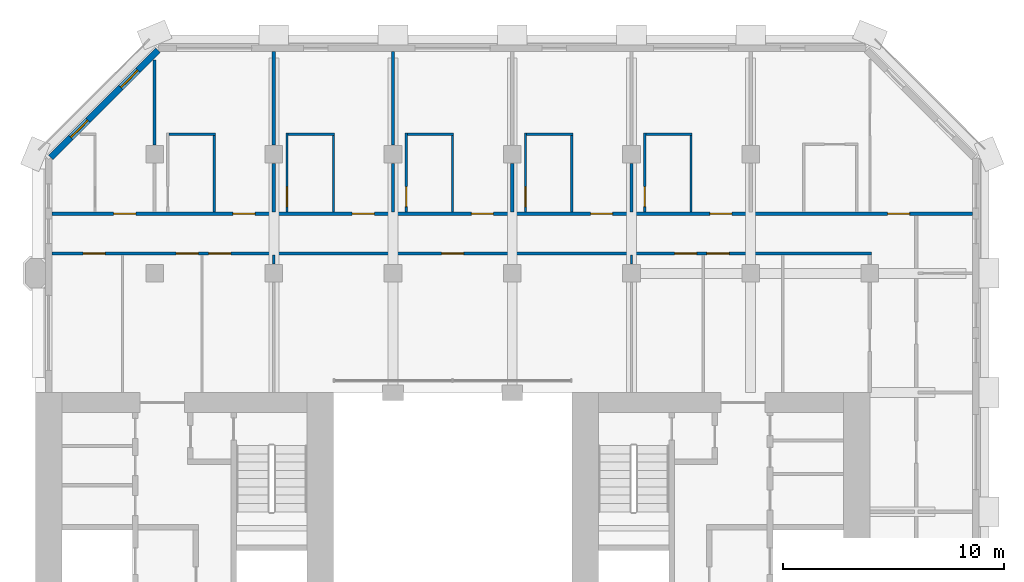
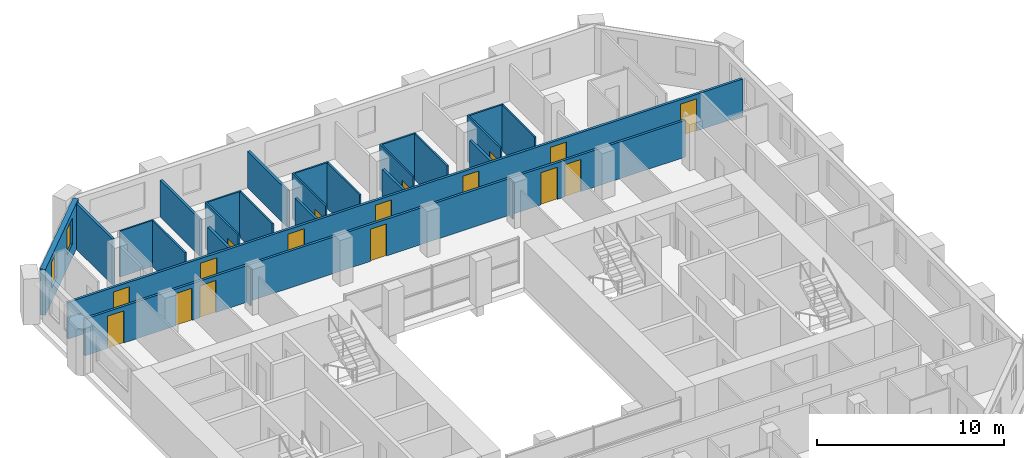
# One storey, part 8 of 12: 26 walls, 17 doors, 2 windows, 19 openings.
"""IFC4 building model written with IfcOpenShell, lengths in metres."""

from ifc_helpers import new_model, si_unit, direction, frame, frame_2d, origin, place, context, subcontext, project, spatial, rectangle, extrude, material, layer, layer_set, type_object, element, fill, save


model = new_model("IFC4")

# Units and contexts
model_context = context("Model", 3, precision=1e-05, world=origin(), true_north=direction((0.0, 1.0)))
body_context = subcontext(model_context, "Body", "Model", "MODEL_VIEW")
ifc_project = project(units=[si_unit("LENGTHUNIT", "METRE"), si_unit("AREAUNIT", "SQUARE_METRE"), si_unit("VOLUMEUNIT", "CUBIC_METRE"), si_unit("PLANEANGLEUNIT", "RADIAN"), si_unit("MASSUNIT", "GRAM", prefix="KILO")], contexts=[model_context])

# Site, building, storey
site_placement = place(None, origin())
site = spatial("IfcSite", under=ifc_project, at=site_placement, CompositionType="ELEMENT")
building_placement = place(site_placement, origin())
building = spatial("IfcBuilding", under=site, at=building_placement, Name="Tabaq Tower and Sports Hall", CompositionType="ELEMENT")
storey_placement = place(building_placement, frame((0.0, 0.0, 184.0)))
storey = spatial("IfcBuildingStorey", under=building, at=storey_placement, Name="L44", CompositionType="ELEMENT", Elevation=184.0)

# Walls
ifc_material_1 = material(Name="Gypsum board on steel studs", Category="steel")
ifc_layer_1 = layer(ifc_material_1, 0.10009765625)
ifc_layer_set_1 = layer_set([ifc_layer_1], Name="Partition 100 Gypsum board")
wall_type_1 = type_object("IfcWallType", Name="Partition 100 Gypsum board", PredefinedType="PARTITIONING", material=ifc_layer_set_1)
wall_1_placement = place(storey_placement, frame((11.449951171875, 44.10009765625, 0.0), z_axis=(0.0, 0.0, 1.0), x_axis=(1.0, 0.0, 0.0)))
element("IfcWall", 1, at=wall_1_placement, inside=storey, type_object=wall_type_1, Name="Partition wall L44", PredefinedType="PARTITIONING", context=body_context, shape_type="SweptSolid", body=[
    extrude(rectangle(XDim=2.10009765625, YDim=0.10009765625, at=frame_2d((1.050048828125, 0.0))), origin(), (0.0, 0.0, 1.0), 3.0),
])
wall_2_placement = place(storey_placement, frame((13.5, 44.050048828125, 0.0), z_axis=(0.0, 0.0, 1.0), x_axis=(0.0, -1.0, 0.0)))
element("IfcWall", 2, at=wall_2_placement, inside=storey, type_object=wall_type_1, Name="Partition wall L44", PredefinedType="PARTITIONING", context=body_context, shape_type="SweptSolid", body=[
    extrude(rectangle(XDim=3.47509765625, YDim=0.10009765625, at=frame_2d((1.737548828125, 0.0))), origin(), (0.0, 0.0, 1.0), 3.0),
])

# Wall, opening, door
wall_3_placement = place(storey_placement, frame((16.800048828125, 40.574951171875, 0.0), z_axis=(0.0, 0.0, 1.0), x_axis=(0.0, 1.0, 0.0)))
wall_3 = element("IfcWall", 3, at=wall_3_placement, inside=storey, type_object=wall_type_1, Name="Partition wall L44", PredefinedType="PARTITIONING", context=body_context, shape_type="SweptSolid", body=[
    extrude(rectangle(XDim=3.574951171875, YDim=0.10009765625, at=frame_2d((1.78759765625, 0.0))), origin(), (0.0, 0.0, 1.0), 3.0),
])
opening_1_placement = place(wall_3_placement, frame((0.25, 0.0, 0.0)))
opening_1 = element("IfcOpeningElement", 4, at=opening_1_placement, cuts=wall_3, Name="Opening L44-004", PredefinedType="OPENING", context=body_context, shape_type="SweptSolid", body=[
    extrude(rectangle(XDim=0.89990234375, YDim=2.10009765625, at=frame_2d((0.449951171875, 1.050048828125))), frame((0.0, 0.050048828125, 0.0), z_axis=(0.0, -1.0, 0.0), x_axis=(1.0, 0.0, 0.0)), (0.0, 0.0, 1.0), 0.10009765625),
])
ifc_material_2 = material(Name="Timber leaf in steel frame", Category="steel")
door_type_1 = type_object("IfcDoorType", Name="Internal door 900 right hand", OperationType="SINGLE_SWING_RIGHT", PredefinedType="DOOR", material=ifc_material_2)
door_1_placement = place(opening_1_placement, origin())
door_1 = element("IfcDoor", 5, at=door_1_placement, inside=storey, type_object=door_type_1, Name="Internal door L44-004", OperationType="SINGLE_SWING_RIGHT", OverallHeight=2.10009765625, OverallWidth=0.89990234375, PredefinedType="DOOR", context=body_context, shape_type="SweptSolid", body=[
    extrude(rectangle(XDim=0.89990234375, YDim=2.10009765625, at=frame_2d((0.449951171875, 1.050048828125))), frame((0.0, 0.02490234375, 0.0), z_axis=(0.0, -1.0, 0.0), x_axis=(1.0, 0.0, 0.0)), (0.0, 0.0, 1.0), 0.050048828125),
])
fill(opening_1, door_1)

# Walls
wall_4_placement = place(storey_placement, frame((16.85009765625, 44.10009765625, 0.0), z_axis=(0.0, 0.0, 1.0), x_axis=(1.0, 0.0, 0.0)))
element("IfcWall", 6, at=wall_4_placement, inside=storey, type_object=wall_type_1, Name="Partition wall L44", PredefinedType="PARTITIONING", context=body_context, shape_type="SweptSolid", body=[
    extrude(rectangle(XDim=2.099853515625, YDim=0.10009765625, at=frame_2d((1.0498046875, 0.0))), origin(), (0.0, 0.0, 1.0), 3.0),
])
wall_5_placement = place(storey_placement, frame((18.89990234375, 44.050048828125, 0.0), z_axis=(0.0, 0.0, 1.0), x_axis=(0.0, -1.0, 0.0)))
element("IfcWall", 7, at=wall_5_placement, inside=storey, type_object=wall_type_1, Name="Partition wall L44", PredefinedType="PARTITIONING", context=body_context, shape_type="SweptSolid", body=[
    extrude(rectangle(XDim=3.47509765625, YDim=0.10009765625, at=frame_2d((1.737548828125, 0.0))), origin(), (0.0, 0.0, 1.0), 3.0),
])

# Wall, opening, door
wall_6_placement = place(storey_placement, frame((22.199951171875, 40.574951171875, 0.0), z_axis=(0.0, 0.0, 1.0), x_axis=(0.0, 1.0, 0.0)))
wall_6 = element("IfcWall", 8, at=wall_6_placement, inside=storey, type_object=wall_type_1, Name="Partition wall L44", PredefinedType="PARTITIONING", context=body_context, shape_type="SweptSolid", body=[
    extrude(rectangle(XDim=3.574951171875, YDim=0.10009765625, at=frame_2d((1.78759765625, 0.0))), origin(), (0.0, 0.0, 1.0), 3.0),
])
opening_2_placement = place(wall_6_placement, frame((0.25, 0.0, 0.0)))
opening_2 = element("IfcOpeningElement", 9, at=opening_2_placement, cuts=wall_6, Name="Opening L44-005", PredefinedType="OPENING", context=body_context, shape_type="SweptSolid", body=[
    extrude(rectangle(XDim=0.89990234375, YDim=2.10009765625, at=frame_2d((0.449951171875, 1.050048828125))), frame((0.0, 0.050048828125, 0.0), z_axis=(0.0, -1.0, 0.0), x_axis=(1.0, 0.0, 0.0)), (0.0, 0.0, 1.0), 0.10009765625),
])
door_2_placement = place(opening_2_placement, origin())
door_2 = element("IfcDoor", 10, at=door_2_placement, inside=storey, type_object=door_type_1, Name="Internal door L44-005", OperationType="SINGLE_SWING_RIGHT", OverallHeight=2.10009765625, OverallWidth=0.89990234375, PredefinedType="DOOR", context=body_context, shape_type="SweptSolid", body=[
    extrude(rectangle(XDim=0.89990234375, YDim=2.10009765625, at=frame_2d((0.449951171875, 1.050048828125))), frame((0.0, 0.02490234375, 0.0), z_axis=(0.0, -1.0, 0.0), x_axis=(1.0, 0.0, 0.0)), (0.0, 0.0, 1.0), 0.050048828125),
])
fill(opening_2, door_2)

# Walls
wall_7_placement = place(storey_placement, frame((22.25, 44.10009765625, 0.0), z_axis=(0.0, 0.0, 1.0), x_axis=(1.0, 0.0, 0.0)))
element("IfcWall", 11, at=wall_7_placement, inside=storey, type_object=wall_type_1, Name="Partition wall L44", PredefinedType="PARTITIONING", context=body_context, shape_type="SweptSolid", body=[
    extrude(rectangle(XDim=2.10009765625, YDim=0.10009765625, at=frame_2d((1.050048828125, 0.0))), origin(), (0.0, 0.0, 1.0), 3.0),
])
wall_8_placement = place(storey_placement, frame((24.300048828125, 44.050048828125, 0.0), z_axis=(0.0, 0.0, 1.0), x_axis=(0.0, -1.0, 0.0)))
element("IfcWall", 12, at=wall_8_placement, inside=storey, type_object=wall_type_1, Name="Partition wall L44", PredefinedType="PARTITIONING", context=body_context, shape_type="SweptSolid", body=[
    extrude(rectangle(XDim=3.47509765625, YDim=0.10009765625, at=frame_2d((1.737548828125, 0.0))), origin(), (0.0, 0.0, 1.0), 3.0),
])

# Wall, opening, door
wall_9_placement = place(storey_placement, frame((27.60009765625, 40.574951171875, 0.0), z_axis=(0.0, 0.0, 1.0), x_axis=(0.0, 1.0, 0.0)))
wall_9 = element("IfcWall", 13, at=wall_9_placement, inside=storey, type_object=wall_type_1, Name="Partition wall L44", PredefinedType="PARTITIONING", context=body_context, shape_type="SweptSolid", body=[
    extrude(rectangle(XDim=3.574951171875, YDim=0.10009765625, at=frame_2d((1.78759765625, 0.0))), origin(), (0.0, 0.0, 1.0), 3.0),
])
opening_3_placement = place(wall_9_placement, frame((0.25, 0.0, 0.0)))
opening_3 = element("IfcOpeningElement", 14, at=opening_3_placement, cuts=wall_9, Name="Opening L44-006", PredefinedType="OPENING", context=body_context, shape_type="SweptSolid", body=[
    extrude(rectangle(XDim=0.89990234375, YDim=2.10009765625, at=frame_2d((0.449951171875, 1.050048828125))), frame((0.0, 0.050048828125, 0.0), z_axis=(0.0, -1.0, 0.0), x_axis=(1.0, 0.0, 0.0)), (0.0, 0.0, 1.0), 0.10009765625),
])
ifc_material_3 = material(Name="Timber leaf in steel frame", Category="steel")
door_type_2 = type_object("IfcDoorType", Name="Internal door 900 left hand", OperationType="SINGLE_SWING_LEFT", PredefinedType="DOOR", material=ifc_material_3)
door_3_placement = place(opening_3_placement, origin())
door_3 = element("IfcDoor", 15, at=door_3_placement, inside=storey, type_object=door_type_2, Name="Internal door L44-006", OperationType="SINGLE_SWING_LEFT", OverallHeight=2.10009765625, OverallWidth=0.89990234375, PredefinedType="DOOR", context=body_context, shape_type="SweptSolid", body=[
    extrude(rectangle(XDim=0.89990234375, YDim=2.10009765625, at=frame_2d((0.449951171875, 1.050048828125))), frame((0.0, 0.02490234375, 0.0), z_axis=(0.0, -1.0, 0.0), x_axis=(1.0, 0.0, 0.0)), (0.0, 0.0, 1.0), 0.050048828125),
])
fill(opening_3, door_3)

# Walls
wall_10_placement = place(storey_placement, frame((27.64990234375, 44.10009765625, 0.0), z_axis=(0.0, 0.0, 1.0), x_axis=(1.0, 0.0, 0.0)))
element("IfcWall", 16, at=wall_10_placement, inside=storey, type_object=wall_type_1, Name="Partition wall L44", PredefinedType="PARTITIONING", context=body_context, shape_type="SweptSolid", body=[
    extrude(rectangle(XDim=2.10009765625, YDim=0.10009765625, at=frame_2d((1.050048828125, 0.0))), origin(), (0.0, 0.0, 1.0), 3.0),
])
wall_11_placement = place(storey_placement, frame((29.699951171875, 44.050048828125, 0.0), z_axis=(0.0, 0.0, 1.0), x_axis=(0.0, -1.0, 0.0)))
element("IfcWall", 17, at=wall_11_placement, inside=storey, type_object=wall_type_1, Name="Partition wall L44", PredefinedType="PARTITIONING", context=body_context, shape_type="SweptSolid", body=[
    extrude(rectangle(XDim=3.47509765625, YDim=0.10009765625, at=frame_2d((1.737548828125, 0.0))), origin(), (0.0, 0.0, 1.0), 3.0),
])

# Wall, opening, door
wall_12_placement = place(storey_placement, frame((33.0, 40.574951171875, 0.0), z_axis=(0.0, 0.0, 1.0), x_axis=(0.0, 1.0, 0.0)))
wall_12 = element("IfcWall", 18, at=wall_12_placement, inside=storey, type_object=wall_type_1, Name="Partition wall L44", PredefinedType="PARTITIONING", context=body_context, shape_type="SweptSolid", body=[
    extrude(rectangle(XDim=3.574951171875, YDim=0.10009765625, at=frame_2d((1.78759765625, 0.0))), origin(), (0.0, 0.0, 1.0), 3.0),
])
opening_4_placement = place(wall_12_placement, frame((0.25, 0.0, 0.0)))
opening_4 = element("IfcOpeningElement", 19, at=opening_4_placement, cuts=wall_12, Name="Opening L44-007", PredefinedType="OPENING", context=body_context, shape_type="SweptSolid", body=[
    extrude(rectangle(XDim=0.89990234375, YDim=2.10009765625, at=frame_2d((0.449951171875, 1.050048828125))), frame((0.0, 0.050048828125, 0.0), z_axis=(0.0, -1.0, 0.0), x_axis=(1.0, 0.0, 0.0)), (0.0, 0.0, 1.0), 0.10009765625),
])
door_4_placement = place(opening_4_placement, origin())
door_4 = element("IfcDoor", 20, at=door_4_placement, inside=storey, type_object=door_type_2, Name="Internal door L44-007", OperationType="SINGLE_SWING_LEFT", OverallHeight=2.10009765625, OverallWidth=0.89990234375, PredefinedType="DOOR", context=body_context, shape_type="SweptSolid", body=[
    extrude(rectangle(XDim=0.89990234375, YDim=2.10009765625, at=frame_2d((0.449951171875, 1.050048828125))), frame((0.0, 0.02490234375, 0.0), z_axis=(0.0, -1.0, 0.0), x_axis=(1.0, 0.0, 0.0)), (0.0, 0.0, 1.0), 0.050048828125),
])
fill(opening_4, door_4)

# Walls
wall_13_placement = place(storey_placement, frame((33.050048828125, 44.10009765625, 0.0), z_axis=(0.0, 0.0, 1.0), x_axis=(1.0, 0.0, 0.0)))
element("IfcWall", 21, at=wall_13_placement, inside=storey, type_object=wall_type_1, Name="Partition wall L44", PredefinedType="PARTITIONING", context=body_context, shape_type="SweptSolid", body=[
    extrude(rectangle(XDim=2.099853515625, YDim=0.10009765625, at=frame_2d((1.0498046875, 0.0))), origin(), (0.0, 0.0, 1.0), 3.0),
])
wall_14_placement = place(storey_placement, frame((35.10009765625, 44.050048828125, 0.0), z_axis=(0.0, 0.0, 1.0), x_axis=(0.0, -1.0, 0.0)))
element("IfcWall", 22, at=wall_14_placement, inside=storey, type_object=wall_type_1, Name="Partition wall L44", PredefinedType="PARTITIONING", context=body_context, shape_type="SweptSolid", body=[
    extrude(rectangle(XDim=3.47509765625, YDim=0.10009765625, at=frame_2d((1.737548828125, 0.0))), origin(), (0.0, 0.0, 1.0), 3.0),
])
for number, where, z_axis, x_axis, name in (
    (23, (16.199951171875, 38.625, 0.0), (0.0, 0.0, 1.0), (0.0, -1.0, 0.0), "Partition wall L44"),
    (24, (32.39990234375, 38.219970703125, 0.0), (0.0, 0.0, 1.0), (0.0, 1.0, 0.0), "Partition wall L44"),
):
    element("IfcWall", number, at=place(storey_placement, frame(where, z_axis=z_axis, x_axis=x_axis)), inside=storey, type_object=wall_type_1, Name=name, PredefinedType="PARTITIONING", context=body_context, shape_type="SweptSolid", body=[
        extrude(rectangle(XDim=0.405029296875, YDim=0.10009765625, at=frame_2d((0.20263671875, 0.0))), origin(), (0.0, 0.0, 1.0), 2.39990234375),
    ])
ifc_material_4 = material(Name="Blockwork", Category="masonry")
ifc_layer_2 = layer(ifc_material_4, 0.14990234375)
ifc_layer_set_2 = layer_set([ifc_layer_2], Name="Separating wall 150 Blockwork")
wall_type_2 = type_object("IfcWallType", Name="Separating wall 150 Blockwork", PredefinedType="PARTITIONING", material=ifc_layer_set_2)
wall_15_placement = place(storey_placement, frame((10.800048828125, 43.6201171875, 0.0), z_axis=(0.0, 0.0, 1.0), x_axis=(0.0, 1.0, 0.0)))
element("IfcWall", 25, at=wall_15_placement, inside=storey, type_object=wall_type_2, Name="Separating wall L44", PredefinedType="PARTITIONING", context=body_context, shape_type="SweptSolid", body=[
    extrude(rectangle(XDim=3.8427734375, YDim=0.14990234375, at=frame_2d((1.92138671875, 0.0))), origin(), (0.0, 0.0, 1.0), 3.0),
])
wall_16_placement = place(storey_placement, frame((16.199951171875, 40.574951171875, 0.0), z_axis=(0.0, 0.0, 1.0), x_axis=(0.0, 1.0, 0.0)))
element("IfcWall", 26, at=wall_16_placement, inside=storey, type_object=wall_type_2, Name="Separating wall L44", PredefinedType="PARTITIONING", context=body_context, shape_type="SweptSolid", body=[
    extrude(rectangle(XDim=2.205078125, YDim=0.14990234375, at=frame_2d((1.1025390625, 0.0))), origin(), (0.0, 0.0, 1.0), 2.39990234375),
])
wall_17_placement = place(storey_placement, frame((16.199951171875, 43.6201171875, 0.0), z_axis=(0.0, 0.0, 1.0), x_axis=(0.0, 1.0, 0.0)))
element("IfcWall", 27, at=wall_17_placement, inside=storey, type_object=wall_type_2, Name="Separating wall L44", PredefinedType="PARTITIONING", context=body_context, shape_type="SweptSolid", body=[
    extrude(rectangle(XDim=4.22900390625, YDim=0.14990234375, at=frame_2d((2.114501953125, 0.0))), origin(), (0.0, 0.0, 1.0), 2.39990234375),
])
wall_18_placement = place(storey_placement, frame((21.60009765625, 40.574951171875, 0.0), z_axis=(0.0, 0.0, 1.0), x_axis=(0.0, 1.0, 0.0)))
element("IfcWall", 28, at=wall_18_placement, inside=storey, type_object=wall_type_2, Name="Separating wall L44", PredefinedType="PARTITIONING", context=body_context, shape_type="SweptSolid", body=[
    extrude(rectangle(XDim=2.205078125, YDim=0.14990234375, at=frame_2d((1.1025390625, 0.0))), origin(), (0.0, 0.0, 1.0), 2.39990234375),
])
wall_19_placement = place(storey_placement, frame((21.60009765625, 43.6201171875, 0.0), z_axis=(0.0, 0.0, 1.0), x_axis=(0.0, 1.0, 0.0)))
element("IfcWall", 29, at=wall_19_placement, inside=storey, type_object=wall_type_2, Name="Separating wall L44", PredefinedType="PARTITIONING", context=body_context, shape_type="SweptSolid", body=[
    extrude(rectangle(XDim=4.22900390625, YDim=0.14990234375, at=frame_2d((2.114501953125, 0.0))), origin(), (0.0, 0.0, 1.0), 2.39990234375),
])
for number, where, z_axis, x_axis, name in (
    (30, (27.0, 40.574951171875, 0.0), (0.0, 0.0, 1.0), (0.0, 1.0, 0.0), "Separating wall L44"),
    (31, (32.39990234375, 40.574951171875, 0.0), (0.0, 0.0, 1.0), (0.0, 1.0, 0.0), "Separating wall L44"),
):
    element("IfcWall", number, at=place(storey_placement, frame(where, z_axis=z_axis, x_axis=x_axis)), inside=storey, type_object=wall_type_2, Name=name, PredefinedType="PARTITIONING", context=body_context, shape_type="SweptSolid", body=[
        extrude(rectangle(XDim=2.205078125, YDim=0.14990234375, at=frame_2d((1.1025390625, 0.0))), origin(), (0.0, 0.0, 1.0), 2.39990234375),
    ])

# Wall, openings, doors
wall_20_placement = place(storey_placement, frame((47.84912109375, 40.5, 0.0), z_axis=(0.0, 0.0, 1.0), x_axis=(-1.0, 0.0, 0.0)))
wall_20 = element("IfcWall", 32, at=wall_20_placement, inside=storey, type_object=wall_type_2, Name="Separating wall L44", PredefinedType="PARTITIONING", context=body_context, shape_type="SweptSolid", body=[
    extrude(rectangle(XDim=41.6982421875, YDim=0.14990234375, at=frame_2d((20.84912109375, 0.0))), origin(), (0.0, 0.0, 1.0), 2.39990234375),
])
opening_5_placement = place(wall_20_placement, frame((37.89892578125, 0.0, 0.0)))
opening_5 = element("IfcOpeningElement", 33, at=opening_5_placement, cuts=wall_20, Name="Opening L44-031", PredefinedType="OPENING", context=body_context, shape_type="SweptSolid", body=[
    extrude(rectangle(XDim=1.0, YDim=2.10009765625, at=frame_2d((0.5, 1.050048828125))), frame((0.0, 0.074951171875, 0.0), z_axis=(0.0, -1.0, 0.0), x_axis=(1.0, 0.0, 0.0)), (0.0, 0.0, 1.0), 0.14990234375),
])
opening_6_placement = place(wall_20_placement, frame((32.4990234375, 0.0, 0.0)))
opening_6 = element("IfcOpeningElement", 34, at=opening_6_placement, cuts=wall_20, Name="Opening L44-032", PredefinedType="OPENING", context=body_context, shape_type="SweptSolid", body=[
    extrude(rectangle(XDim=1.0, YDim=2.10009765625, at=frame_2d((0.5, 1.050048828125))), frame((0.0, 0.074951171875, 0.0), z_axis=(0.0, -1.0, 0.0), x_axis=(1.0, 0.0, 0.0)), (0.0, 0.0, 1.0), 0.14990234375),
])
opening_7_placement = place(wall_20_placement, frame((27.09912109375, 0.0, 0.0)))
opening_7 = element("IfcOpeningElement", 35, at=opening_7_placement, cuts=wall_20, Name="Opening L44-033", PredefinedType="OPENING", context=body_context, shape_type="SweptSolid", body=[
    extrude(rectangle(XDim=1.0, YDim=2.10009765625, at=frame_2d((0.5, 1.050048828125))), frame((0.0, 0.074951171875, 0.0), z_axis=(0.0, -1.0, 0.0), x_axis=(1.0, 0.0, 0.0)), (0.0, 0.0, 1.0), 0.14990234375),
])
opening_8_placement = place(wall_20_placement, frame((21.698974609375, 0.0, 0.0)))
opening_8 = element("IfcOpeningElement", 36, at=opening_8_placement, cuts=wall_20, Name="Opening L44-034", PredefinedType="OPENING", context=body_context, shape_type="SweptSolid", body=[
    extrude(rectangle(XDim=1.0, YDim=2.10009765625, at=frame_2d((0.5, 1.050048828125))), frame((0.0, 0.074951171875, 0.0), z_axis=(0.0, -1.0, 0.0), x_axis=(1.0, 0.0, 0.0)), (0.0, 0.0, 1.0), 0.14990234375),
])
opening_9_placement = place(wall_20_placement, frame((16.299072265625, 0.0, 0.0)))
opening_9 = element("IfcOpeningElement", 37, at=opening_9_placement, cuts=wall_20, Name="Opening L44-035", PredefinedType="OPENING", context=body_context, shape_type="SweptSolid", body=[
    extrude(rectangle(XDim=1.0, YDim=2.10009765625, at=frame_2d((0.5, 1.050048828125))), frame((0.0, 0.074951171875, 0.0), z_axis=(0.0, -1.0, 0.0), x_axis=(1.0, 0.0, 0.0)), (0.0, 0.0, 1.0), 0.14990234375),
])
opening_10_placement = place(wall_20_placement, frame((10.89892578125, 0.0, 0.0)))
opening_10 = element("IfcOpeningElement", 38, at=opening_10_placement, cuts=wall_20, Name="Opening L44-036", PredefinedType="OPENING", context=body_context, shape_type="SweptSolid", body=[
    extrude(rectangle(XDim=1.0, YDim=2.10009765625, at=frame_2d((0.5, 1.050048828125))), frame((0.0, 0.074951171875, 0.0), z_axis=(0.0, -1.0, 0.0), x_axis=(1.0, 0.0, 0.0)), (0.0, 0.0, 1.0), 0.14990234375),
])
opening_11_placement = place(wall_20_placement, frame((2.84912109375, 0.0, 0.0)))
opening_11 = element("IfcOpeningElement", 39, at=opening_11_placement, cuts=wall_20, Name="Opening L44-038", PredefinedType="OPENING", context=body_context, shape_type="SweptSolid", body=[
    extrude(rectangle(XDim=1.0, YDim=2.10009765625, at=frame_2d((0.5, 1.050048828125))), frame((0.0, 0.074951171875, 0.0), z_axis=(0.0, -1.0, 0.0), x_axis=(1.0, 0.0, 0.0)), (0.0, 0.0, 1.0), 0.14990234375),
])
ifc_material_5 = material(Name="Steel fire door", Category="steel")
door_type_3 = type_object("IfcDoorType", Name="Entrance door 1000 left hand", OperationType="SINGLE_SWING_LEFT", PredefinedType="DOOR", material=ifc_material_5)
door_5_placement = place(opening_5_placement, origin())
door_5 = element("IfcDoor", 40, at=door_5_placement, inside=storey, type_object=door_type_3, Name="Entrance door L44-031", OperationType="SINGLE_SWING_LEFT", OverallHeight=2.10009765625, OverallWidth=1.0, PredefinedType="DOOR", context=body_context, shape_type="SweptSolid", body=[
    extrude(rectangle(XDim=1.0, YDim=2.10009765625, at=frame_2d((0.5, 1.050048828125))), frame((0.0, 0.02490234375, 0.0), z_axis=(0.0, -1.0, 0.0), x_axis=(1.0, 0.0, 0.0)), (0.0, 0.0, 1.0), 0.050048828125),
])
fill(opening_5, door_5)
door_6_placement = place(opening_8_placement, origin())
door_6 = element("IfcDoor", 41, at=door_6_placement, inside=storey, type_object=door_type_3, Name="Entrance door L44-034", OperationType="SINGLE_SWING_LEFT", OverallHeight=2.10009765625, OverallWidth=1.0, PredefinedType="DOOR", context=body_context, shape_type="SweptSolid", body=[
    extrude(rectangle(XDim=1.0, YDim=2.10009765625, at=frame_2d((0.5, 1.050048828125))), frame((0.0, 0.02490234375, 0.0), z_axis=(0.0, -1.0, 0.0), x_axis=(1.0, 0.0, 0.0)), (0.0, 0.0, 1.0), 0.050048828125),
])
fill(opening_8, door_6)
door_7_placement = place(opening_9_placement, origin())
door_7 = element("IfcDoor", 42, at=door_7_placement, inside=storey, type_object=door_type_3, Name="Entrance door L44-035", OperationType="SINGLE_SWING_LEFT", OverallHeight=2.10009765625, OverallWidth=1.0, PredefinedType="DOOR", context=body_context, shape_type="SweptSolid", body=[
    extrude(rectangle(XDim=1.0, YDim=2.10009765625, at=frame_2d((0.5, 1.050048828125))), frame((0.0, 0.02490234375, 0.0), z_axis=(0.0, -1.0, 0.0), x_axis=(1.0, 0.0, 0.0)), (0.0, 0.0, 1.0), 0.050048828125),
])
fill(opening_9, door_7)
door_8_placement = place(opening_11_placement, origin())
door_8 = element("IfcDoor", 43, at=door_8_placement, inside=storey, type_object=door_type_3, Name="Entrance door L44-038", OperationType="SINGLE_SWING_LEFT", OverallHeight=2.10009765625, OverallWidth=1.0, PredefinedType="DOOR", context=body_context, shape_type="SweptSolid", body=[
    extrude(rectangle(XDim=1.0, YDim=2.10009765625, at=frame_2d((0.5, 1.050048828125))), frame((0.0, 0.02490234375, 0.0), z_axis=(0.0, -1.0, 0.0), x_axis=(1.0, 0.0, 0.0)), (0.0, 0.0, 1.0), 0.050048828125),
])
fill(opening_11, door_8)
ifc_material_6 = material(Name="Steel fire door", Category="steel")
door_type_4 = type_object("IfcDoorType", Name="Entrance door 1000 right hand", OperationType="SINGLE_SWING_RIGHT", PredefinedType="DOOR", material=ifc_material_6)
door_9_placement = place(opening_6_placement, origin())
door_9 = element("IfcDoor", 44, at=door_9_placement, inside=storey, type_object=door_type_4, Name="Entrance door L44-032", OperationType="SINGLE_SWING_RIGHT", OverallHeight=2.10009765625, OverallWidth=1.0, PredefinedType="DOOR", context=body_context, shape_type="SweptSolid", body=[
    extrude(rectangle(XDim=1.0, YDim=2.10009765625, at=frame_2d((0.5, 1.050048828125))), frame((0.0, 0.02490234375, 0.0), z_axis=(0.0, -1.0, 0.0), x_axis=(1.0, 0.0, 0.0)), (0.0, 0.0, 1.0), 0.050048828125),
])
fill(opening_6, door_9)
door_10_placement = place(opening_7_placement, origin())
door_10 = element("IfcDoor", 45, at=door_10_placement, inside=storey, type_object=door_type_4, Name="Entrance door L44-033", OperationType="SINGLE_SWING_RIGHT", OverallHeight=2.10009765625, OverallWidth=1.0, PredefinedType="DOOR", context=body_context, shape_type="SweptSolid", body=[
    extrude(rectangle(XDim=1.0, YDim=2.10009765625, at=frame_2d((0.5, 1.050048828125))), frame((0.0, 0.02490234375, 0.0), z_axis=(0.0, -1.0, 0.0), x_axis=(1.0, 0.0, 0.0)), (0.0, 0.0, 1.0), 0.050048828125),
])
fill(opening_7, door_10)
door_11_placement = place(opening_10_placement, origin())
door_11 = element("IfcDoor", 46, at=door_11_placement, inside=storey, type_object=door_type_4, Name="Entrance door L44-036", OperationType="SINGLE_SWING_RIGHT", OverallHeight=2.10009765625, OverallWidth=1.0, PredefinedType="DOOR", context=body_context, shape_type="SweptSolid", body=[
    extrude(rectangle(XDim=1.0, YDim=2.10009765625, at=frame_2d((0.5, 1.050048828125))), frame((0.0, 0.02490234375, 0.0), z_axis=(0.0, -1.0, 0.0), x_axis=(1.0, 0.0, 0.0)), (0.0, 0.0, 1.0), 0.050048828125),
])
fill(opening_10, door_11)

wall_21_placement = place(storey_placement, frame((43.27490234375, 38.699951171875, 0.0), z_axis=(0.0, 0.0, 1.0), x_axis=(-1.0, 0.0, 0.0)))
wall_21 = element("IfcWall", 47, at=wall_21_placement, inside=storey, type_object=wall_type_2, Name="Separating wall L44", PredefinedType="PARTITIONING", context=body_context, shape_type="SweptSolid", body=[
    extrude(rectangle(XDim=37.1240234375, YDim=0.14990234375, at=frame_2d((18.56201171875, 0.0))), origin(), (0.0, 0.0, 1.0), 2.39990234375),
])
opening_12_placement = place(wall_21_placement, frame((18.47509765625, 0.0, 0.0)))
opening_12 = element("IfcOpeningElement", 48, at=opening_12_placement, cuts=wall_21, Name="Opening L44-009", PredefinedType="OPENING", context=body_context, shape_type="SweptSolid", body=[
    extrude(rectangle(XDim=1.0, YDim=2.10009765625, at=frame_2d((0.5, 1.050048828125))), frame((0.0, 0.074951171875, 0.0), z_axis=(0.0, -1.0, 0.0), x_axis=(1.0, 0.0, 0.0)), (0.0, 0.0, 1.0), 0.14990234375),
])
opening_13_placement = place(wall_21_placement, frame((34.715087890625, 0.0, 0.0)))
opening_13 = element("IfcOpeningElement", 49, at=opening_13_placement, cuts=wall_21, Name="Opening L44-011", PredefinedType="OPENING", context=body_context, shape_type="SweptSolid", body=[
    extrude(rectangle(XDim=1.0, YDim=2.10009765625, at=frame_2d((0.5, 1.050048828125))), frame((0.0, 0.074951171875, 0.0), z_axis=(0.0, -1.0, 0.0), x_axis=(1.0, 0.0, 0.0)), (0.0, 0.0, 1.0), 0.14990234375),
])
opening_14_placement = place(wall_21_placement, frame((7.925048828125, 0.0, 0.0)))
opening_14 = element("IfcOpeningElement", 50, at=opening_14_placement, cuts=wall_21, Name="Opening L44-012", PredefinedType="OPENING", context=body_context, shape_type="SweptSolid", body=[
    extrude(rectangle(XDim=1.0, YDim=2.10009765625, at=frame_2d((0.5, 1.050048828125))), frame((0.0, 0.074951171875, 0.0), z_axis=(0.0, -1.0, 0.0), x_axis=(1.0, 0.0, 0.0)), (0.0, 0.0, 1.0), 0.14990234375),
])
opening_15_placement = place(wall_21_placement, frame((29.02490234375, 0.0, 0.0)))
opening_15 = element("IfcOpeningElement", 51, at=opening_15_placement, cuts=wall_21, Name="Opening L44-014", PredefinedType="OPENING", context=body_context, shape_type="SweptSolid", body=[
    extrude(rectangle(XDim=1.0, YDim=2.10009765625, at=frame_2d((0.5, 1.050048828125))), frame((0.0, 0.074951171875, 0.0), z_axis=(0.0, -1.0, 0.0), x_axis=(1.0, 0.0, 0.0)), (0.0, 0.0, 1.0), 0.14990234375),
])
opening_16_placement = place(wall_21_placement, frame((30.4951171875, 0.0, 0.0)))
opening_16 = element("IfcOpeningElement", 52, at=opening_16_placement, cuts=wall_21, Name="Opening L44-039", PredefinedType="OPENING", context=body_context, shape_type="SweptSolid", body=[
    extrude(rectangle(XDim=1.0, YDim=2.10009765625, at=frame_2d((0.5, 1.050048828125))), frame((0.0, 0.074951171875, 0.0), z_axis=(0.0, -1.0, 0.0), x_axis=(1.0, 0.0, 0.0)), (0.0, 0.0, 1.0), 0.14990234375),
])
opening_17_placement = place(wall_21_placement, frame((6.455078125, 0.0, 0.0)))
opening_17 = element("IfcOpeningElement", 53, at=opening_17_placement, cuts=wall_21, Name="Opening L44-040", PredefinedType="OPENING", context=body_context, shape_type="SweptSolid", body=[
    extrude(rectangle(XDim=1.0, YDim=2.10009765625, at=frame_2d((0.5, 1.050048828125))), frame((0.0, 0.074951171875, 0.0), z_axis=(0.0, -1.0, 0.0), x_axis=(1.0, 0.0, 0.0)), (0.0, 0.0, 1.0), 0.14990234375),
])
ifc_material_7 = material(Name="Timber leaf in steel frame", Category="steel")
door_type_5 = type_object("IfcDoorType", Name="Internal door 1000 left hand", OperationType="SINGLE_SWING_LEFT", PredefinedType="DOOR", material=ifc_material_7)
door_12_placement = place(opening_13_placement, origin())
door_12 = element("IfcDoor", 54, at=door_12_placement, inside=storey, type_object=door_type_5, Name="Internal door L44-011", OperationType="SINGLE_SWING_LEFT", OverallHeight=2.10009765625, OverallWidth=1.0, PredefinedType="DOOR", context=body_context, shape_type="SweptSolid", body=[
    extrude(rectangle(XDim=1.0, YDim=2.10009765625, at=frame_2d((0.5, 1.050048828125))), frame((0.0, 0.02490234375, 0.0), z_axis=(0.0, -1.0, 0.0), x_axis=(1.0, 0.0, 0.0)), (0.0, 0.0, 1.0), 0.050048828125),
])
fill(opening_13, door_12)
door_13_placement = place(opening_16_placement, origin())
door_13 = element("IfcDoor", 55, at=door_13_placement, inside=storey, type_object=door_type_5, Name="Internal door L44-039", OperationType="SINGLE_SWING_LEFT", OverallHeight=2.10009765625, OverallWidth=1.0, PredefinedType="DOOR", context=body_context, shape_type="SweptSolid", body=[
    extrude(rectangle(XDim=1.0, YDim=2.10009765625, at=frame_2d((0.5, 1.050048828125))), frame((0.0, 0.02490234375, 0.0), z_axis=(0.0, -1.0, 0.0), x_axis=(1.0, 0.0, 0.0)), (0.0, 0.0, 1.0), 0.050048828125),
])
fill(opening_16, door_13)
door_14_placement = place(opening_17_placement, origin())
door_14 = element("IfcDoor", 56, at=door_14_placement, inside=storey, type_object=door_type_5, Name="Internal door L44-040", OperationType="SINGLE_SWING_LEFT", OverallHeight=2.10009765625, OverallWidth=1.0, PredefinedType="DOOR", context=body_context, shape_type="SweptSolid", body=[
    extrude(rectangle(XDim=1.0, YDim=2.10009765625, at=frame_2d((0.5, 1.050048828125))), frame((0.0, 0.02490234375, 0.0), z_axis=(0.0, -1.0, 0.0), x_axis=(1.0, 0.0, 0.0)), (0.0, 0.0, 1.0), 0.050048828125),
])
fill(opening_17, door_14)
ifc_material_8 = material(Name="Timber leaf in steel frame", Category="steel")
door_type_6 = type_object("IfcDoorType", Name="Internal door 1000 right hand", OperationType="SINGLE_SWING_RIGHT", PredefinedType="DOOR", material=ifc_material_8)
door_15_placement = place(opening_12_placement, origin())
door_15 = element("IfcDoor", 57, at=door_15_placement, inside=storey, type_object=door_type_6, Name="Internal door L44-009", OperationType="SINGLE_SWING_RIGHT", OverallHeight=2.10009765625, OverallWidth=1.0, PredefinedType="DOOR", context=body_context, shape_type="SweptSolid", body=[
    extrude(rectangle(XDim=1.0, YDim=2.10009765625, at=frame_2d((0.5, 1.050048828125))), frame((0.0, 0.02490234375, 0.0), z_axis=(0.0, -1.0, 0.0), x_axis=(1.0, 0.0, 0.0)), (0.0, 0.0, 1.0), 0.050048828125),
])
fill(opening_12, door_15)
door_16_placement = place(opening_14_placement, origin())
door_16 = element("IfcDoor", 58, at=door_16_placement, inside=storey, type_object=door_type_6, Name="Internal door L44-012", OperationType="SINGLE_SWING_RIGHT", OverallHeight=2.10009765625, OverallWidth=1.0, PredefinedType="DOOR", context=body_context, shape_type="SweptSolid", body=[
    extrude(rectangle(XDim=1.0, YDim=2.10009765625, at=frame_2d((0.5, 1.050048828125))), frame((0.0, 0.02490234375, 0.0), z_axis=(0.0, -1.0, 0.0), x_axis=(1.0, 0.0, 0.0)), (0.0, 0.0, 1.0), 0.050048828125),
])
fill(opening_14, door_16)
door_17_placement = place(opening_15_placement, origin())
door_17 = element("IfcDoor", 59, at=door_17_placement, inside=storey, type_object=door_type_6, Name="Internal door L44-014", OperationType="SINGLE_SWING_RIGHT", OverallHeight=2.10009765625, OverallWidth=1.0, PredefinedType="DOOR", context=body_context, shape_type="SweptSolid", body=[
    extrude(rectangle(XDim=1.0, YDim=2.10009765625, at=frame_2d((0.5, 1.050048828125))), frame((0.0, 0.02490234375, 0.0), z_axis=(0.0, -1.0, 0.0), x_axis=(1.0, 0.0, 0.0)), (0.0, 0.0, 1.0), 0.050048828125),
])
fill(opening_15, door_17)

# Wall, openings, windows
ifc_material_9 = material(Name="White precast concrete C60/75", Category="concrete")
ifc_layer_3 = layer(ifc_material_9, 0.300048828125)
ifc_layer_set_3 = layer_set([ifc_layer_3], Name="White precast concrete C60/75 external wall 300")
wall_type_3 = type_object("IfcWallType", Name="White precast concrete C60/75 external wall 300", PredefinedType="SOLIDWALL", material=ifc_layer_set_3)
wall_22_placement = place(storey_placement, frame((10.949462890625, 47.901123046875, 0.0), z_axis=(0.0, 0.0, 1.0), x_axis=(-0.707106781187, -0.707106781187, 0.0)))
wall_22 = element("IfcWall", 60, at=wall_22_placement, inside=storey, type_object=wall_type_3, Name="External Wall L44 NW", PredefinedType="SOLIDWALL", context=body_context, shape_type="SweptSolid", body=[
    extrude(rectangle(XDim=6.85986328125, YDim=0.300048828125, at=frame_2d((3.429931640625, 0.0))), origin(), (0.0, 0.0, 1.0), 3.0),
])
opening_18_placement = place(wall_22_placement, frame((1.27978515625, 0.0, 0.89990234375)))
opening_18 = element("IfcOpeningElement", 61, at=opening_18_placement, cuts=wall_22, Name="Opening W1B", PredefinedType="OPENING", context=body_context, shape_type="SweptSolid", body=[
    extrude(rectangle(XDim=1.10009765625, YDim=1.699951171875, at=frame_2d((0.550048828125, 0.85009765625))), frame((0.0, 0.16015625, 0.0), z_axis=(0.0, -1.0, 0.0), x_axis=(1.0, 0.0, 0.0)), (0.0, 0.0, 1.0), 0.320068359375),
])
opening_19_placement = place(wall_22_placement, frame((4.479736328125, 0.0, 0.89990234375)))
opening_19 = element("IfcOpeningElement", 62, at=opening_19_placement, cuts=wall_22, Name="Opening W1B", PredefinedType="OPENING", context=body_context, shape_type="SweptSolid", body=[
    extrude(rectangle(XDim=1.10009765625, YDim=1.699951171875, at=frame_2d((0.550048828125, 0.85009765625))), frame((0.0, 0.16015625, 0.0), z_axis=(0.0, -1.0, 0.0), x_axis=(1.0, 0.0, 0.0)), (0.0, 0.0, 1.0), 0.320068359375),
])
ifc_material_10 = material(Name="Aluminium framed clear glazing", Category="aluminium")
window_type = type_object("IfcWindowType", Name="Window W1B", PartitioningType="SINGLE_PANEL", PredefinedType="WINDOW", material=ifc_material_10)
window_1_placement = place(opening_18_placement, origin())
window_1 = element("IfcWindow", 63, at=window_1_placement, inside=storey, type_object=window_type, Name="Window W1B L44", OverallHeight=1.699951171875, OverallWidth=1.10009765625, PartitioningType="SINGLE_PANEL", PredefinedType="WINDOW", context=body_context, shape_type="SweptSolid", body=[
    extrude(rectangle(XDim=1.10009765625, YDim=1.699951171875, at=frame_2d((0.550048828125, 0.85009765625))), frame((0.0, 0.030029296875, 0.0), z_axis=(0.0, -1.0, 0.0), x_axis=(1.0, 0.0, 0.0)), (0.0, 0.0, 1.0), 0.06005859375),
])
fill(opening_18, window_1)
window_2_placement = place(opening_19_placement, origin())
window_2 = element("IfcWindow", 64, at=window_2_placement, inside=storey, type_object=window_type, Name="Window W1B L44", OverallHeight=1.699951171875, OverallWidth=1.10009765625, PartitioningType="SINGLE_PANEL", PredefinedType="WINDOW", context=body_context, shape_type="SweptSolid", body=[
    extrude(rectangle(XDim=1.10009765625, YDim=1.699951171875, at=frame_2d((0.550048828125, 0.85009765625))), frame((0.0, 0.030029296875, 0.0), z_axis=(0.0, -1.0, 0.0), x_axis=(1.0, 0.0, 0.0)), (0.0, 0.0, 1.0), 0.06005859375),
])
fill(opening_19, window_2)

save(model, "model.ifc")
